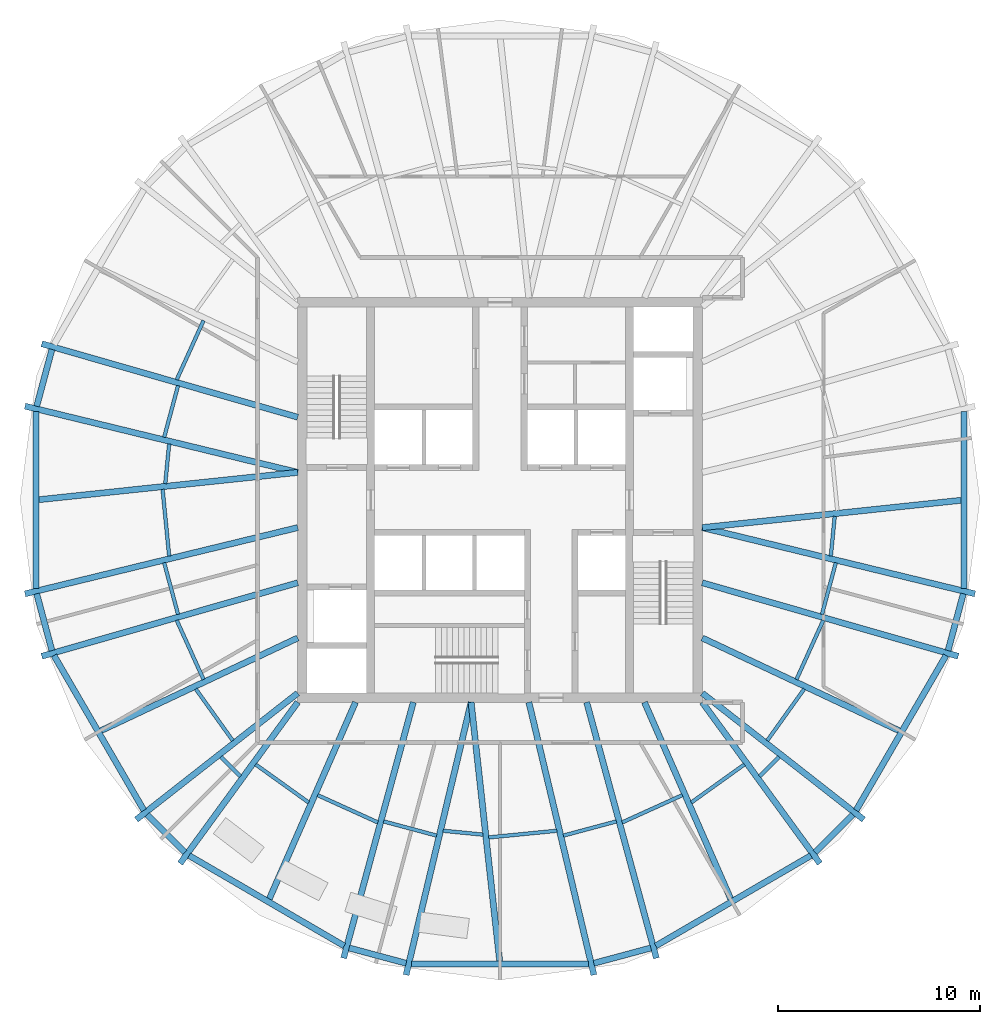
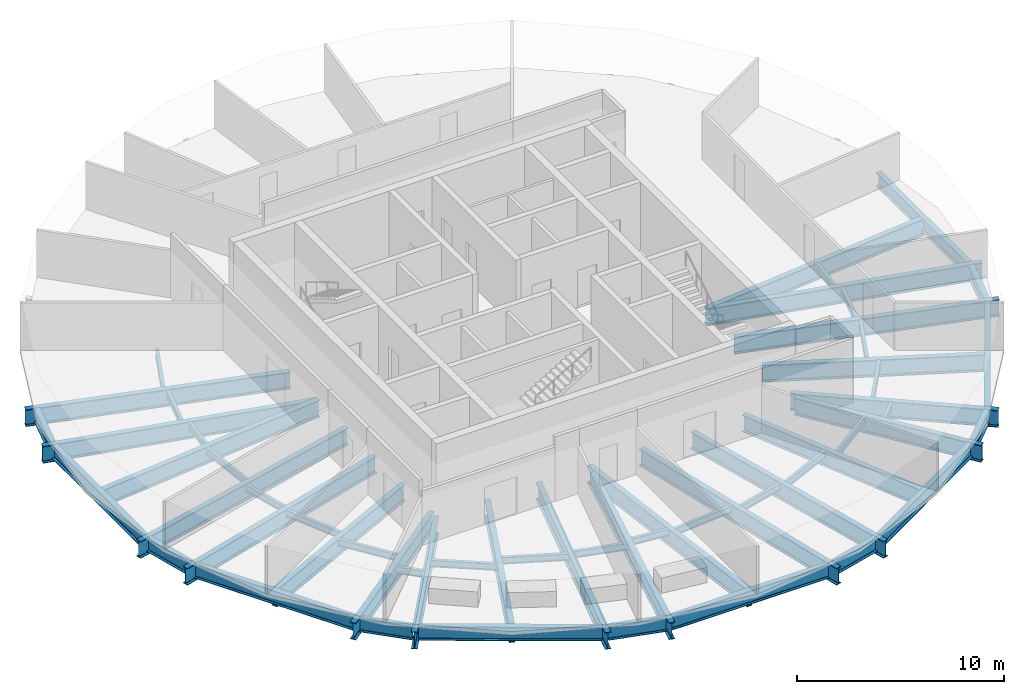
# One storey, part 1 of 7: 56 beams.
"""IFC4 building model written with IfcOpenShell, lengths in metres."""

from ifc_helpers import new_model, si_unit, direction, frame, origin, origin_2d, place, context, subcontext, project, spatial, i_section, extrude, material, material_profile, profile_set, type_object, element, save


model = new_model("IFC4")

# Units and contexts
model_context = context("Model", 3, precision=1e-05, world=origin(), true_north=direction((0.0, 1.0)))
body_context = subcontext(model_context, "Body", "Model", "MODEL_VIEW")
ifc_project = project(units=[si_unit("LENGTHUNIT", "METRE"), si_unit("AREAUNIT", "SQUARE_METRE"), si_unit("VOLUMEUNIT", "CUBIC_METRE"), si_unit("PLANEANGLEUNIT", "RADIAN"), si_unit("MASSUNIT", "GRAM", prefix="KILO")], contexts=[model_context])

# Site, building, storey
site_placement = place(None, origin())
site = spatial("IfcSite", under=ifc_project, at=site_placement, CompositionType="ELEMENT")
building_placement = place(site_placement, origin())
building = spatial("IfcBuilding", under=site, at=building_placement, Name="Golbaran Civic Tower", CompositionType="ELEMENT")
storey_placement = place(building_placement, frame((0.0, 0.0, 195.0)))
storey = spatial("IfcBuildingStorey", under=building, at=storey_placement, Name="L47", CompositionType="ELEMENT", Elevation=195.0)

# Beams
ifc_material = material(Name="Steel S355", Category="steel")
ifc_material_profile_1 = material_profile(ifc_material, i_section(OverallWidth=0.300048828125, OverallDepth=0.800048828125, WebThickness=0.017578125, FlangeThickness=0.032958984375, FilletRadius=0.030029296875, at=origin_2d()), Name="HEB 800")
ifc_profile_set_1 = profile_set([ifc_material_profile_1], Name="Steel S355")
beam_type_1 = type_object("IfcBeamType", Name="EDGE BEAM HEB 800", PredefinedType="BEAM", material=ifc_profile_set_1)
beam_1_placement = place(storey_placement, frame((-22.152099609375, 7.445068359375, -0.60009765625), z_axis=(-0.259004480723, -0.965876119886, 0.0), x_axis=(0.965876119886, -0.259004480723, 0.0)))
element("IfcBeam", 1, at=beam_1_placement, inside=storey, type_object=beam_type_1, Name="Edge beam 161.24 L47", PredefinedType="BEAM", context=body_context, shape_type="SweptSolid", body=[
    extrude(i_section(OverallWidth=0.300048828125, OverallDepth=0.800048828125, WebThickness=0.017578125, FlangeThickness=0.032958984375, FilletRadius=0.030029296875, at=origin_2d()), origin(), (0.0, 0.0, 1.0), 2.909912109375),
])
beam_2_placement = place(storey_placement, frame((-22.939453125, 4.375244140625, -0.60009765625), z_axis=(0.0, -1.0, 0.0), x_axis=(1.0, 0.0, 0.0)))
element("IfcBeam", 2, at=beam_2_placement, inside=storey, type_object=beam_type_1, Name="Edge beam 168.76 L47", PredefinedType="BEAM", context=body_context, shape_type="SweptSolid", body=[
    extrude(i_section(OverallWidth=0.300048828125, OverallDepth=0.800048828125, WebThickness=0.017578125, FlangeThickness=0.032958984375, FilletRadius=0.030029296875, at=origin_2d()), origin(), (0.0, 0.0, 1.0), 8.75048828125),
])
beam_3_placement = place(storey_placement, frame((-22.90576171875, -4.634521484375, -0.60009765625), z_axis=(0.259004480723, -0.965876119886, 0.0), x_axis=(0.965876119886, 0.259004480723, 0.0)))
element("IfcBeam", 3, at=beam_3_placement, inside=storey, type_object=beam_type_1, Name="Edge beam 191.24 L47", PredefinedType="BEAM", context=body_context, shape_type="SweptSolid", body=[
    extrude(i_section(OverallWidth=0.300048828125, OverallDepth=0.800048828125, WebThickness=0.017578125, FlangeThickness=0.032958984375, FilletRadius=0.030029296875, at=origin_2d()), origin(), (0.0, 0.0, 1.0), 2.909912109375),
])
beam_4_placement = place(storey_placement, frame((-22.05126953125, -7.686767578125, -0.60009765625), z_axis=(0.502117553845, -0.864799376804, 0.0), x_axis=(0.864799376804, 0.502117553845, 0.0)))
element("IfcBeam", 4, at=beam_4_placement, inside=storey, type_object=beam_type_1, Name="Edge beam 198.76 L47", PredefinedType="BEAM", context=body_context, shape_type="SweptSolid", body=[
    extrude(i_section(OverallWidth=0.300048828125, OverallDepth=0.800048828125, WebThickness=0.017578125, FlangeThickness=0.032958984375, FilletRadius=0.030029296875, at=origin_2d()), origin(), (0.0, 0.0, 1.0), 8.8525390625),
])
beam_5_placement = place(storey_placement, frame((-17.44775390625, -15.548583984375, -0.60009765625), z_axis=(0.706553200975, -0.707659928349, 0.0), x_axis=(0.707659928349, 0.706553200975, 0.0)))
element("IfcBeam", 5, at=beam_5_placement, inside=storey, type_object=beam_type_1, Name="Edge beam 221.24 L47", PredefinedType="BEAM", context=body_context, shape_type="SweptSolid", body=[
    extrude(i_section(OverallWidth=0.300048828125, OverallDepth=0.800048828125, WebThickness=0.017578125, FlangeThickness=0.032958984375, FilletRadius=0.030029296875, at=origin_2d()), origin(), (0.0, 0.0, 1.0), 2.647216796875),
])
beam_6_placement = place(storey_placement, frame((-15.371337890625, -17.580810546875, -0.60009765625), z_axis=(0.864221561132, -0.503111412387, 0.0), x_axis=(0.503111412387, 0.864221561132, 0.0)))
element("IfcBeam", 6, at=beam_6_placement, inside=storey, type_object=beam_type_1, Name="Edge beam 228.76 L47", PredefinedType="BEAM", context=body_context, shape_type="SweptSolid", body=[
    extrude(i_section(OverallWidth=0.300048828125, OverallDepth=0.800048828125, WebThickness=0.017578125, FlangeThickness=0.032958984375, FilletRadius=0.030029296875, at=origin_2d()), origin(), (0.0, 0.0, 1.0), 8.875),
])
beam_7_placement = place(storey_placement, frame((-7.45947265625, -22.147216796875, -0.60009765625), z_axis=(0.965760107666, -0.259436725313, 0.0), x_axis=(0.259436725313, 0.965760107666, 0.0)))
element("IfcBeam", 7, at=beam_7_placement, inside=storey, type_object=beam_type_1, Name="Edge beam 251.24 L47", PredefinedType="BEAM", context=body_context, shape_type="SweptSolid", body=[
    extrude(i_section(OverallWidth=0.300048828125, OverallDepth=0.800048828125, WebThickness=0.017578125, FlangeThickness=0.032958984375, FilletRadius=0.030029296875, at=origin_2d()), origin(), (0.0, 0.0, 1.0), 2.920166015625),
])
beam_8_placement = place(storey_placement, frame((-4.380126953125, -22.9384765625, -0.60009765625), z_axis=(1.0, 0.0, 0.0), x_axis=(0.0, 1.0, 0.0)))
element("IfcBeam", 8, at=beam_8_placement, inside=storey, type_object=beam_type_1, Name="Edge beam 258.76 L47", PredefinedType="BEAM", context=body_context, shape_type="SweptSolid", body=[
    extrude(i_section(OverallWidth=0.300048828125, OverallDepth=0.800048828125, WebThickness=0.017578125, FlangeThickness=0.032958984375, FilletRadius=0.030029296875, at=origin_2d()), origin(), (0.0, 0.0, 1.0), 8.76025390625),
])
beam_9_placement = place(storey_placement, frame((4.639404296875, -22.90478515625, -0.60009765625), z_axis=(0.965760107666, 0.259436725313, 0.0), x_axis=(-0.259436725313, 0.965760107666, 0.0)))
element("IfcBeam", 9, at=beam_9_placement, inside=storey, type_object=beam_type_1, Name="Edge beam 281.24 L47", PredefinedType="BEAM", context=body_context, shape_type="SweptSolid", body=[
    extrude(i_section(OverallWidth=0.300048828125, OverallDepth=0.800048828125, WebThickness=0.017578125, FlangeThickness=0.032958984375, FilletRadius=0.030029296875, at=origin_2d()), origin(), (0.0, 0.0, 1.0), 2.920166015625),
])
beam_10_placement = place(storey_placement, frame((7.701416015625, -22.0458984375, -0.60009765625), z_axis=(0.864221561132, 0.503111412387, 0.0), x_axis=(-0.503111412387, 0.864221561132, 0.0)))
element("IfcBeam", 10, at=beam_10_placement, inside=storey, type_object=beam_type_1, Name="Edge beam 288.76 L47", PredefinedType="BEAM", context=body_context, shape_type="SweptSolid", body=[
    extrude(i_section(OverallWidth=0.300048828125, OverallDepth=0.800048828125, WebThickness=0.017578125, FlangeThickness=0.032958984375, FilletRadius=0.030029296875, at=origin_2d()), origin(), (0.0, 0.0, 1.0), 8.875),
])
beam_11_placement = place(storey_placement, frame((15.577392578125, -17.421875, -0.60009765625), z_axis=(0.706553200975, 0.707659928349, 0.0), x_axis=(-0.707659928349, 0.706553200975, 0.0)))
element("IfcBeam", 11, at=beam_11_placement, inside=storey, type_object=beam_type_1, Name="Edge beam 311.24 L47", PredefinedType="BEAM", context=body_context, shape_type="SweptSolid", body=[
    extrude(i_section(OverallWidth=0.300048828125, OverallDepth=0.800048828125, WebThickness=0.017578125, FlangeThickness=0.032958984375, FilletRadius=0.030029296875, at=origin_2d()), origin(), (0.0, 0.0, 1.0), 2.647216796875),
])
beam_12_placement = place(storey_placement, frame((17.606201171875, -15.342529296875, -0.60009765625), z_axis=(0.502117553845, 0.864799376804, 0.0), x_axis=(-0.864799376804, 0.502117553845, 0.0)))
element("IfcBeam", 12, at=beam_12_placement, inside=storey, type_object=beam_type_1, Name="Edge beam 318.76 L47", PredefinedType="BEAM", context=body_context, shape_type="SweptSolid", body=[
    extrude(i_section(OverallWidth=0.300048828125, OverallDepth=0.800048828125, WebThickness=0.017578125, FlangeThickness=0.032958984375, FilletRadius=0.030029296875, at=origin_2d()), origin(), (0.0, 0.0, 1.0), 8.8525390625),
])
beam_13_placement = place(storey_placement, frame((22.152099609375, -7.445068359375, -0.60009765625), z_axis=(0.259004480723, 0.965876119886, 0.0), x_axis=(-0.965876119886, 0.259004480723, 0.0)))
element("IfcBeam", 13, at=beam_13_placement, inside=storey, type_object=beam_type_1, Name="Edge beam 341.24 L47", PredefinedType="BEAM", context=body_context, shape_type="SweptSolid", body=[
    extrude(i_section(OverallWidth=0.300048828125, OverallDepth=0.800048828125, WebThickness=0.017578125, FlangeThickness=0.032958984375, FilletRadius=0.030029296875, at=origin_2d()), origin(), (0.0, 0.0, 1.0), 2.909912109375),
])
beam_14_placement = place(storey_placement, frame((22.939453125, -4.375244140625, -0.60009765625), z_axis=(0.0, 1.0, 0.0), x_axis=(-1.0, 0.0, 0.0)))
element("IfcBeam", 14, at=beam_14_placement, inside=storey, type_object=beam_type_1, Name="Edge beam 348.76 L47", PredefinedType="BEAM", context=body_context, shape_type="SweptSolid", body=[
    extrude(i_section(OverallWidth=0.300048828125, OverallDepth=0.800048828125, WebThickness=0.017578125, FlangeThickness=0.032958984375, FilletRadius=0.030029296875, at=origin_2d()), origin(), (0.0, 0.0, 1.0), 8.75048828125),
])
ifc_material_profile_2 = material_profile(ifc_material, i_section(OverallWidth=0.179931640625, OverallDepth=0.39990234375, WebThickness=0.008544921875, FlangeThickness=0.013427734375, FilletRadius=0.02099609375, at=origin_2d()), Name="IPE 400")
ifc_profile_set_2 = profile_set([ifc_material_profile_2], Name="Steel S355")
beam_type_2 = type_object("IfcBeamType", Name="FLOOR INFILL BEAM IPE 400", PredefinedType="BEAM", material=ifc_profile_set_2)
beam_15_placement = place(storey_placement, frame((-14.657470703125, 8.87158203125, -0.39990234375), z_axis=(-0.412783571704, -0.910829140361, 0.0), x_axis=(0.910829140361, -0.412783571704, 0.0)))
element("IfcBeam", 15, at=beam_15_placement, inside=storey, type_object=beam_type_2, Name="Infill beam 155.62 L47", PredefinedType="BEAM", context=body_context, shape_type="SweptSolid", body=[
    extrude(i_section(OverallWidth=0.179931640625, OverallDepth=0.39990234375, WebThickness=0.008544921875, FlangeThickness=0.013427734375, FilletRadius=0.02099609375, at=origin_2d()), origin(), (0.0, 0.0, 1.0), 3.212646484375),
])
beam_16_placement = place(storey_placement, frame((-15.917236328125, 5.65576171875, -0.39990234375), z_axis=(-0.258800719407, -0.965930736458, 0.0), x_axis=(0.965930736458, -0.258800719407, 0.0)))
element("IfcBeam", 16, at=beam_16_placement, inside=storey, type_object=beam_type_2, Name="Infill beam 165.00 L47", PredefinedType="BEAM", context=body_context, shape_type="SweptSolid", body=[
    extrude(i_section(OverallWidth=0.179931640625, OverallDepth=0.39990234375, WebThickness=0.008544921875, FlangeThickness=0.013427734375, FilletRadius=0.02099609375, at=origin_2d()), origin(), (0.0, 0.0, 1.0), 2.643310546875),
])
beam_17_placement = place(storey_placement, frame((-16.35595703125, 2.775146484375, -0.39990234375), z_axis=(-0.097892273483, -0.995197017074, 0.0), x_axis=(0.995197017074, -0.097892273483, 0.0)))
element("IfcBeam", 17, at=beam_17_placement, inside=storey, type_object=beam_type_2, Name="Infill beam 174.38 L47", PredefinedType="BEAM", context=body_context, shape_type="SweptSolid", body=[
    extrude(i_section(OverallWidth=0.179931640625, OverallDepth=0.39990234375, WebThickness=0.008544921875, FlangeThickness=0.013427734375, FilletRadius=0.02099609375, at=origin_2d()), origin(), (0.0, 0.0, 1.0), 1.980224609375),
])
beam_18_placement = place(storey_placement, frame((-16.68115234375, 0.529052734375, -0.39990234375), z_axis=(0.09794557713, -0.995191772434, 0.0), x_axis=(0.995191772434, 0.09794557713, 0.0)))
element("IfcBeam", 18, at=beam_18_placement, inside=storey, type_object=beam_type_2, Name="Infill beam 185.62 L47", PredefinedType="BEAM", context=body_context, shape_type="SweptSolid", body=[
    extrude(i_section(OverallWidth=0.179931640625, OverallDepth=0.39990234375, WebThickness=0.008544921875, FlangeThickness=0.013427734375, FilletRadius=0.02099609375, at=origin_2d()), origin(), (0.0, 0.0, 1.0), 3.320068359375),
])
beam_19_placement = place(storey_placement, frame((-16.601318359375, -3.1025390625, -0.39990234375), z_axis=(0.258800719407, -0.965930736458, 0.0), x_axis=(0.965930736458, 0.258800719407, 0.0)))
element("IfcBeam", 19, at=beam_19_placement, inside=storey, type_object=beam_type_2, Name="Infill beam 195.00 L47", PredefinedType="BEAM", context=body_context, shape_type="SweptSolid", body=[
    extrude(i_section(OverallWidth=0.179931640625, OverallDepth=0.39990234375, WebThickness=0.008544921875, FlangeThickness=0.013427734375, FilletRadius=0.02099609375, at=origin_2d()), origin(), (0.0, 0.0, 1.0), 2.643310546875),
])
beam_20_placement = place(storey_placement, frame((-15.983642578125, -5.9453125, -0.39990234375), z_axis=(0.412783571704, -0.910829140361, 0.0), x_axis=(0.910829140361, 0.412783571704, 0.0)))
element("IfcBeam", 20, at=beam_20_placement, inside=storey, type_object=beam_type_2, Name="Infill beam 204.38 L47", PredefinedType="BEAM", context=body_context, shape_type="SweptSolid", body=[
    extrude(i_section(OverallWidth=0.179931640625, OverallDepth=0.39990234375, WebThickness=0.008544921875, FlangeThickness=0.013427734375, FilletRadius=0.02099609375, at=origin_2d()), origin(), (0.0, 0.0, 1.0), 3.212646484375),
])
beam_21_placement = place(storey_placement, frame((-15.04248046875, -9.34033203125, -0.39990234375), z_axis=(0.582331011216, -0.812951778014, 0.0), x_axis=(0.812951778014, 0.582331011216, 0.0)))
element("IfcBeam", 21, at=beam_21_placement, inside=storey, type_object=beam_type_2, Name="Infill beam 215.62 L47", PredefinedType="BEAM", context=body_context, shape_type="SweptSolid", body=[
    extrude(i_section(OverallWidth=0.179931640625, OverallDepth=0.39990234375, WebThickness=0.008544921875, FlangeThickness=0.013427734375, FilletRadius=0.02099609375, at=origin_2d()), origin(), (0.0, 0.0, 1.0), 3.147216796875),
])
beam_22_placement = place(storey_placement, frame((-13.80419921875, -12.69482421875, -0.39990234375), z_axis=(0.707106781187, -0.707106781187, 0.0), x_axis=(0.707106781187, 0.707106781187, 0.0)))
element("IfcBeam", 22, at=beam_22_placement, inside=storey, type_object=beam_type_2, Name="Infill beam 225.00 L47", PredefinedType="BEAM", context=body_context, shape_type="SweptSolid", body=[
    extrude(i_section(OverallWidth=0.179931640625, OverallDepth=0.39990234375, WebThickness=0.008544921875, FlangeThickness=0.013427734375, FilletRadius=0.02099609375, at=origin_2d()), origin(), (0.0, 0.0, 1.0), 1.37060546875),
])
beam_23_placement = place(storey_placement, frame((-12.0830078125, -13.07470703125, -0.39990234375), z_axis=(0.812889894716, -0.582417392485, 0.0), x_axis=(0.582417392485, 0.812889894716, 0.0)))
element("IfcBeam", 23, at=beam_23_placement, inside=storey, type_object=beam_type_2, Name="Infill beam 234.38 L47", PredefinedType="BEAM", context=body_context, shape_type="SweptSolid", body=[
    extrude(i_section(OverallWidth=0.179931640625, OverallDepth=0.39990234375, WebThickness=0.008544921875, FlangeThickness=0.013427734375, FilletRadius=0.02099609375, at=origin_2d()), origin(), (0.0, 0.0, 1.0), 3.229736328125),
])
beam_24_placement = place(storey_placement, frame((-9.014404296875, -14.5927734375, -0.39990234375), z_axis=(0.910788269433, -0.412873743733, 0.0), x_axis=(0.412873743733, 0.910788269433, 0.0)))
element("IfcBeam", 24, at=beam_24_placement, inside=storey, type_object=beam_type_2, Name="Infill beam 245.62 L47", PredefinedType="BEAM", context=body_context, shape_type="SweptSolid", body=[
    extrude(i_section(OverallWidth=0.179931640625, OverallDepth=0.39990234375, WebThickness=0.008544921875, FlangeThickness=0.013427734375, FilletRadius=0.02099609375, at=origin_2d()), origin(), (0.0, 0.0, 1.0), 3.26708984375),
])
beam_25_placement = place(storey_placement, frame((-5.75537109375, -15.890380859375, -0.39990234375), z_axis=(0.965941626531, -0.258760070595, 0.0), x_axis=(0.258760070595, 0.965941626531, 0.0)))
element("IfcBeam", 25, at=beam_25_placement, inside=storey, type_object=beam_type_2, Name="Infill beam 255.00 L47", PredefinedType="BEAM", context=body_context, shape_type="SweptSolid", body=[
    extrude(i_section(OverallWidth=0.179931640625, OverallDepth=0.39990234375, WebThickness=0.008544921875, FlangeThickness=0.013427734375, FilletRadius=0.02099609375, at=origin_2d()), origin(), (0.0, 0.0, 1.0), 2.713623046875),
])
beam_26_placement = place(storey_placement, frame((-2.8095703125, -16.352294921875, -0.39990234375), z_axis=(0.995207632766, -0.0977842916, 0.0), x_axis=(0.0977842916, 0.995207632766, 0.0)))
element("IfcBeam", 26, at=beam_26_placement, inside=storey, type_object=beam_type_2, Name="Infill beam 264.38 L47", PredefinedType="BEAM", context=body_context, shape_type="SweptSolid", body=[
    extrude(i_section(OverallWidth=0.179931640625, OverallDepth=0.39990234375, WebThickness=0.008544921875, FlangeThickness=0.013427734375, FilletRadius=0.02099609375, at=origin_2d()), origin(), (0.0, 0.0, 1.0), 1.982421875),
])
beam_27_placement = place(storey_placement, frame((-0.559814453125, -16.68359375, -0.39990234375), z_axis=(0.995200750001, 0.097854316191, 0.0), x_axis=(-0.097854316191, 0.995200750001, 0.0)))
element("IfcBeam", 27, at=beam_27_placement, inside=storey, type_object=beam_type_2, Name="Infill beam 275.62 L47", PredefinedType="BEAM", context=body_context, shape_type="SweptSolid", body=[
    extrude(i_section(OverallWidth=0.179931640625, OverallDepth=0.39990234375, WebThickness=0.008544921875, FlangeThickness=0.013427734375, FilletRadius=0.02099609375, at=origin_2d()), origin(), (0.0, 0.0, 1.0), 3.3857421875),
])
beam_28_placement = place(storey_placement, frame((3.13427734375, -16.592529296875, -0.39990234375), z_axis=(0.965941626531, 0.258760070595, 0.0), x_axis=(-0.258760070595, 0.965941626531, 0.0)))
element("IfcBeam", 28, at=beam_28_placement, inside=storey, type_object=beam_type_2, Name="Infill beam 285.00 L47", PredefinedType="BEAM", context=body_context, shape_type="SweptSolid", body=[
    extrude(i_section(OverallWidth=0.179931640625, OverallDepth=0.39990234375, WebThickness=0.008544921875, FlangeThickness=0.013427734375, FilletRadius=0.02099609375, at=origin_2d()), origin(), (0.0, 0.0, 1.0), 2.713623046875),
])
beam_29_placement = place(storey_placement, frame((6.038818359375, -15.941650390625, -0.39990234375), z_axis=(0.910788269433, 0.412873743733, 0.0), x_axis=(-0.412873743733, 0.910788269433, 0.0)))
element("IfcBeam", 29, at=beam_29_placement, inside=storey, type_object=beam_type_2, Name="Infill beam 294.38 L47", PredefinedType="BEAM", context=body_context, shape_type="SweptSolid", body=[
    extrude(i_section(OverallWidth=0.179931640625, OverallDepth=0.39990234375, WebThickness=0.008544921875, FlangeThickness=0.013427734375, FilletRadius=0.02099609375, at=origin_2d()), origin(), (0.0, 0.0, 1.0), 3.26708984375),
])
beam_30_placement = place(storey_placement, frame((9.45751953125, -14.955810546875, -0.39990234375), z_axis=(0.812889894716, 0.582417392485, 0.0), x_axis=(-0.582417392485, 0.812889894716, 0.0)))
element("IfcBeam", 30, at=beam_30_placement, inside=storey, type_object=beam_type_2, Name="Infill beam 305.62 L47", PredefinedType="BEAM", context=body_context, shape_type="SweptSolid", body=[
    extrude(i_section(OverallWidth=0.179931640625, OverallDepth=0.39990234375, WebThickness=0.008544921875, FlangeThickness=0.013427734375, FilletRadius=0.02099609375, at=origin_2d()), origin(), (0.0, 0.0, 1.0), 3.229736328125),
])
beam_31_placement = place(storey_placement, frame((12.8349609375, -13.6640625, -0.39990234375), z_axis=(0.707106781187, 0.707106781187, 0.0), x_axis=(-0.707106781187, 0.707106781187, 0.0)))
element("IfcBeam", 31, at=beam_31_placement, inside=storey, type_object=beam_type_2, Name="Infill beam 315.00 L47", PredefinedType="BEAM", context=body_context, shape_type="SweptSolid", body=[
    extrude(i_section(OverallWidth=0.179931640625, OverallDepth=0.39990234375, WebThickness=0.008544921875, FlangeThickness=0.013427734375, FilletRadius=0.02099609375, at=origin_2d()), origin(), (0.0, 0.0, 1.0), 1.37060546875),
])
beam_32_placement = place(storey_placement, frame((13.209716796875, -11.89892578125, -0.39990234375), z_axis=(0.582331011216, 0.812951778014, 0.0), x_axis=(-0.812951778014, 0.582331011216, 0.0)))
element("IfcBeam", 32, at=beam_32_placement, inside=storey, type_object=beam_type_2, Name="Infill beam 324.38 L47", PredefinedType="BEAM", context=body_context, shape_type="SweptSolid", body=[
    extrude(i_section(OverallWidth=0.179931640625, OverallDepth=0.39990234375, WebThickness=0.008544921875, FlangeThickness=0.013427734375, FilletRadius=0.02099609375, at=origin_2d()), origin(), (0.0, 0.0, 1.0), 3.147216796875),
])
beam_33_placement = place(storey_placement, frame((14.657470703125, -8.87158203125, -0.39990234375), z_axis=(0.412783571704, 0.910829140361, 0.0), x_axis=(-0.910829140361, 0.412783571704, 0.0)))
element("IfcBeam", 33, at=beam_33_placement, inside=storey, type_object=beam_type_2, Name="Infill beam 335.62 L47", PredefinedType="BEAM", context=body_context, shape_type="SweptSolid", body=[
    extrude(i_section(OverallWidth=0.179931640625, OverallDepth=0.39990234375, WebThickness=0.008544921875, FlangeThickness=0.013427734375, FilletRadius=0.02099609375, at=origin_2d()), origin(), (0.0, 0.0, 1.0), 3.212646484375),
])
beam_34_placement = place(storey_placement, frame((15.917236328125, -5.65576171875, -0.39990234375), z_axis=(0.258800719407, 0.965930736458, 0.0), x_axis=(-0.965930736458, 0.258800719407, 0.0)))
element("IfcBeam", 34, at=beam_34_placement, inside=storey, type_object=beam_type_2, Name="Infill beam 345.00 L47", PredefinedType="BEAM", context=body_context, shape_type="SweptSolid", body=[
    extrude(i_section(OverallWidth=0.179931640625, OverallDepth=0.39990234375, WebThickness=0.008544921875, FlangeThickness=0.013427734375, FilletRadius=0.02099609375, at=origin_2d()), origin(), (0.0, 0.0, 1.0), 2.643310546875),
])
beam_35_placement = place(storey_placement, frame((16.35595703125, -2.775146484375, -0.39990234375), z_axis=(0.097892273483, 0.995197017074, 0.0), x_axis=(-0.995197017074, 0.097892273483, 0.0)))
element("IfcBeam", 35, at=beam_35_placement, inside=storey, type_object=beam_type_2, Name="Infill beam 354.38 L47", PredefinedType="BEAM", context=body_context, shape_type="SweptSolid", body=[
    extrude(i_section(OverallWidth=0.179931640625, OverallDepth=0.39990234375, WebThickness=0.008544921875, FlangeThickness=0.013427734375, FilletRadius=0.02099609375, at=origin_2d()), origin(), (0.0, 0.0, 1.0), 1.980224609375),
])
ifc_material_profile_3 = material_profile(ifc_material, i_section(OverallWidth=0.300048828125, OverallDepth=1.0, WebThickness=0.01904296875, FlangeThickness=0.035888671875, FilletRadius=0.030029296875, at=origin_2d()), Name="HEB 1000")
ifc_profile_set_3 = profile_set([ifc_material_profile_3], Name="Steel S355")
beam_type_3 = type_object("IfcBeamType", Name="RADIAL FLOOR BEAM HEB 1000", PredefinedType="BEAM", material=ifc_profile_set_3)
beam_36_placement = place(storey_placement, frame((-10.0, 4.0927734375, -0.7099609375), z_axis=(-0.961198584887, 0.275857355187, 0.0), x_axis=(-0.275857355187, -0.961198584887, 0.0)))
element("IfcBeam", 36, at=beam_36_placement, inside=storey, type_object=beam_type_3, Name="Radial beam 161.24 L47", PredefinedType="BEAM", context=body_context, shape_type="SweptSolid", body=[
    extrude(i_section(OverallWidth=0.300048828125, OverallDepth=1.0, WebThickness=0.01904296875, FlangeThickness=0.035888671875, FilletRadius=0.030029296875, at=origin_2d()), origin(), (0.0, 0.0, 1.0), 13.16552734375),
])
for number, where, z_axis, x_axis, name in (
    (37, (-10.0, 1.3642578125, -0.7099609375), (-0.971711603322, 0.236170616229, 0.0), (-0.236170616229, -0.971711603322, 0.0), "Radial beam 168.76 L47"),
    (38, (-10.0, -1.3642578125, -0.7099609375), (-0.971711603322, -0.236170616229, 0.0), (0.236170616229, -0.971711603322, 0.0), "Radial beam 191.24 L47"),
):
    element("IfcBeam", number, at=place(storey_placement, frame(where, z_axis=z_axis, x_axis=x_axis)), inside=storey, type_object=beam_type_3, Name=name, PredefinedType="BEAM", context=body_context, shape_type="SweptSolid", body=[
        extrude(i_section(OverallWidth=0.300048828125, OverallDepth=1.0, WebThickness=0.01904296875, FlangeThickness=0.035888671875, FilletRadius=0.030029296875, at=origin_2d()), origin(), (0.0, 0.0, 1.0), 13.8740234375),
    ])
beam_37_placement = place(storey_placement, frame((-10.0, -4.0927734375, -0.7099609375), z_axis=(-0.961198584887, -0.275857355187, 0.0), x_axis=(0.275857355187, -0.961198584887, 0.0)))
element("IfcBeam", 39, at=beam_37_placement, inside=storey, type_object=beam_type_3, Name="Radial beam 198.76 L47", PredefinedType="BEAM", context=body_context, shape_type="SweptSolid", body=[
    extrude(i_section(OverallWidth=0.300048828125, OverallDepth=1.0, WebThickness=0.01904296875, FlangeThickness=0.035888671875, FilletRadius=0.030029296875, at=origin_2d()), origin(), (0.0, 0.0, 1.0), 13.16552734375),
])
beam_38_placement = place(storey_placement, frame((-10.0, -9.550048828125, -0.7099609375), z_axis=(-0.787255916941, -0.616626403296, 0.0), x_axis=(0.616626403296, -0.787255916941, 0.0)))
element("IfcBeam", 40, at=beam_38_placement, inside=storey, type_object=beam_type_3, Name="Radial beam 221.24 L47", PredefinedType="BEAM", context=body_context, shape_type="SweptSolid", body=[
    extrude(i_section(OverallWidth=0.300048828125, OverallDepth=1.0, WebThickness=0.01904296875, FlangeThickness=0.035888671875, FilletRadius=0.030029296875, at=origin_2d()), origin(), (0.0, 0.0, 1.0), 10.137451171875),
])
beam_39_placement = place(storey_placement, frame((-10.0, -10.0, -0.7099609375), z_axis=(-0.589495256768, -0.807771837989, 0.0), x_axis=(0.807771837989, -0.589495256768, 0.0)))
element("IfcBeam", 41, at=beam_39_placement, inside=storey, type_object=beam_type_3, Name="Radial beam 228.76 L47", PredefinedType="BEAM", context=body_context, shape_type="SweptSolid", body=[
    extrude(i_section(OverallWidth=0.300048828125, OverallDepth=1.0, WebThickness=0.01904296875, FlangeThickness=0.035888671875, FilletRadius=0.030029296875, at=origin_2d()), origin(), (0.0, 0.0, 1.0), 9.864990234375),
])
beam_40_placement = place(storey_placement, frame((-4.28564453125, -10.0, -0.7099609375), z_axis=(-0.262791291538, -0.964852702277, 0.0), x_axis=(0.964852702277, -0.262791291538, 0.0)))
element("IfcBeam", 42, at=beam_40_placement, inside=storey, type_object=beam_type_3, Name="Radial beam 251.24 L47", PredefinedType="BEAM", context=body_context, shape_type="SweptSolid", body=[
    extrude(i_section(OverallWidth=0.300048828125, OverallDepth=1.0, WebThickness=0.01904296875, FlangeThickness=0.035888671875, FilletRadius=0.030029296875, at=origin_2d()), origin(), (0.0, 0.0, 1.0), 13.11328125),
])
for number, where, z_axis, x_axis, name in (
    (43, (-1.428466796875, -10.0, -0.7099609375), (-0.231947578862, -0.97272828717, 0.0), (0.97272828717, -0.231947578862, 0.0), "Radial beam 258.76 L47"),
    (44, (1.428466796875, -10.0, -0.7099609375), (0.231947578862, -0.97272828717, 0.0), (0.97272828717, 0.231947578862, 0.0), "Radial beam 281.24 L47"),
):
    element("IfcBeam", number, at=place(storey_placement, frame(where, z_axis=z_axis, x_axis=x_axis)), inside=storey, type_object=beam_type_3, Name=name, PredefinedType="BEAM", context=body_context, shape_type="SweptSolid", body=[
        extrude(i_section(OverallWidth=0.300048828125, OverallDepth=1.0, WebThickness=0.01904296875, FlangeThickness=0.035888671875, FilletRadius=0.030029296875, at=origin_2d()), origin(), (0.0, 0.0, 1.0), 13.859130859375),
    ])
beam_41_placement = place(storey_placement, frame((4.28564453125, -10.0, -0.7099609375), z_axis=(0.262791291538, -0.964852702277, 0.0), x_axis=(0.964852702277, 0.262791291538, 0.0)))
element("IfcBeam", 45, at=beam_41_placement, inside=storey, type_object=beam_type_3, Name="Radial beam 288.76 L47", PredefinedType="BEAM", context=body_context, shape_type="SweptSolid", body=[
    extrude(i_section(OverallWidth=0.300048828125, OverallDepth=1.0, WebThickness=0.01904296875, FlangeThickness=0.035888671875, FilletRadius=0.030029296875, at=origin_2d()), origin(), (0.0, 0.0, 1.0), 13.11328125),
])
beam_42_placement = place(storey_placement, frame((10.0, -10.0, -0.7099609375), z_axis=(0.589495256768, -0.807771837989, 0.0), x_axis=(0.807771837989, 0.589495256768, 0.0)))
element("IfcBeam", 46, at=beam_42_placement, inside=storey, type_object=beam_type_3, Name="Radial beam 311.24 L47", PredefinedType="BEAM", context=body_context, shape_type="SweptSolid", body=[
    extrude(i_section(OverallWidth=0.300048828125, OverallDepth=1.0, WebThickness=0.01904296875, FlangeThickness=0.035888671875, FilletRadius=0.030029296875, at=origin_2d()), origin(), (0.0, 0.0, 1.0), 9.864990234375),
])
beam_43_placement = place(storey_placement, frame((10.0, -9.550048828125, -0.7099609375), z_axis=(0.787255916941, -0.616626403296, 0.0), x_axis=(0.616626403296, 0.787255916941, 0.0)))
element("IfcBeam", 47, at=beam_43_placement, inside=storey, type_object=beam_type_3, Name="Radial beam 318.76 L47", PredefinedType="BEAM", context=body_context, shape_type="SweptSolid", body=[
    extrude(i_section(OverallWidth=0.300048828125, OverallDepth=1.0, WebThickness=0.01904296875, FlangeThickness=0.035888671875, FilletRadius=0.030029296875, at=origin_2d()), origin(), (0.0, 0.0, 1.0), 10.137451171875),
])
beam_44_placement = place(storey_placement, frame((10.0, -4.0927734375, -0.7099609375), z_axis=(0.961198584887, -0.275857355187, 0.0), x_axis=(0.275857355187, 0.961198584887, 0.0)))
element("IfcBeam", 48, at=beam_44_placement, inside=storey, type_object=beam_type_3, Name="Radial beam 341.24 L47", PredefinedType="BEAM", context=body_context, shape_type="SweptSolid", body=[
    extrude(i_section(OverallWidth=0.300048828125, OverallDepth=1.0, WebThickness=0.01904296875, FlangeThickness=0.035888671875, FilletRadius=0.030029296875, at=origin_2d()), origin(), (0.0, 0.0, 1.0), 13.16552734375),
])
beam_45_placement = place(storey_placement, frame((10.0, -1.3642578125, -0.7099609375), z_axis=(0.971711603322, -0.236170616229, 0.0), x_axis=(0.236170616229, 0.971711603322, 0.0)))
element("IfcBeam", 49, at=beam_45_placement, inside=storey, type_object=beam_type_3, Name="Radial beam 348.76 L47", PredefinedType="BEAM", context=body_context, shape_type="SweptSolid", body=[
    extrude(i_section(OverallWidth=0.300048828125, OverallDepth=1.0, WebThickness=0.01904296875, FlangeThickness=0.035888671875, FilletRadius=0.030029296875, at=origin_2d()), origin(), (0.0, 0.0, 1.0), 13.8740234375),
])
ifc_material_profile_4 = material_profile(ifc_material, i_section(OverallWidth=0.300048828125, OverallDepth=1.0, WebThickness=0.01904296875, FlangeThickness=0.035888671875, FilletRadius=0.030029296875, at=origin_2d()), Name="HEB 1000")
ifc_profile_set_4 = profile_set([ifc_material_profile_4], Name="Steel S355")
beam_type_4 = type_object("IfcBeamType", Name="SECONDARY FLOOR BEAM HEB 1000", PredefinedType="BEAM", material=ifc_profile_set_4)
for number, where, z_axis, x_axis, name in (
    (50, (10.0, -1.3642578125, -0.7099609375), (0.994487754379, 0.104852784367, 0.0), (-0.104852784367, 0.994487754379, 0.0), "Secondary beam 0.00 L47"),
    (51, (-10.0, 1.3642578125, -0.7099609375), (-0.994487754379, -0.104852784367, 0.0), (0.104852784367, -0.994487754379, 0.0), "Secondary beam 180.00 L47"),
):
    element("IfcBeam", number, at=place(storey_placement, frame(where, z_axis=z_axis, x_axis=x_axis)), inside=storey, type_object=beam_type_4, Name=name, PredefinedType="BEAM", context=body_context, shape_type="SweptSolid", body=[
        extrude(i_section(OverallWidth=0.300048828125, OverallDepth=1.0, WebThickness=0.01904296875, FlangeThickness=0.035888671875, FilletRadius=0.030029296875, at=origin_2d()), origin(), (0.0, 0.0, 1.0), 13.01123046875),
    ])
beam_46_placement = place(storey_placement, frame((-10.0, -6.821533203125, -0.7099609375), z_axis=(-0.904662755848, -0.42612826494, 0.0), x_axis=(0.42612826494, -0.904662755848, 0.0)))
element("IfcBeam", 52, at=beam_46_placement, inside=storey, type_object=beam_type_4, Name="Secondary beam 210.00 L47", PredefinedType="BEAM", context=body_context, shape_type="SweptSolid", body=[
    extrude(i_section(OverallWidth=0.300048828125, OverallDepth=1.0, WebThickness=0.01904296875, FlangeThickness=0.035888671875, FilletRadius=0.030029296875, at=origin_2d()), origin(), (0.0, 0.0, 1.0), 10.896484375),
])
beam_47_placement = place(storey_placement, frame((-7.142822265625, -10.0, -0.7099609375), z_axis=(-0.401514949571, -0.915852469162, 0.0), x_axis=(0.915852469162, -0.401514949571, 0.0)))
element("IfcBeam", 53, at=beam_47_placement, inside=storey, type_object=beam_type_4, Name="Secondary beam 240.00 L47", PredefinedType="BEAM", context=body_context, shape_type="SweptSolid", body=[
    extrude(i_section(OverallWidth=0.300048828125, OverallDepth=1.0, WebThickness=0.01904296875, FlangeThickness=0.035888671875, FilletRadius=0.030029296875, at=origin_2d()), origin(), (0.0, 0.0, 1.0), 10.76123046875),
])
beam_48_placement = place(storey_placement, frame((-1.428466796875, -10.0, -0.7099609375), z_axis=(0.109737778521, -0.993960572641, 0.0), x_axis=(0.993960572641, 0.109737778521, 0.0)))
element("IfcBeam", 54, at=beam_48_placement, inside=storey, type_object=beam_type_4, Name="Secondary beam 270.00 L47", PredefinedType="BEAM", context=body_context, shape_type="SweptSolid", body=[
    extrude(i_section(OverallWidth=0.300048828125, OverallDepth=1.0, WebThickness=0.01904296875, FlangeThickness=0.035888671875, FilletRadius=0.030029296875, at=origin_2d()), origin(), (0.0, 0.0, 1.0), 13.01708984375),
])
beam_49_placement = place(storey_placement, frame((7.142822265625, -10.0, -0.7099609375), z_axis=(0.401514949571, -0.915852469162, 0.0), x_axis=(0.915852469162, 0.401514949571, 0.0)))
element("IfcBeam", 55, at=beam_49_placement, inside=storey, type_object=beam_type_4, Name="Secondary beam 300.00 L47", PredefinedType="BEAM", context=body_context, shape_type="SweptSolid", body=[
    extrude(i_section(OverallWidth=0.300048828125, OverallDepth=1.0, WebThickness=0.01904296875, FlangeThickness=0.035888671875, FilletRadius=0.030029296875, at=origin_2d()), origin(), (0.0, 0.0, 1.0), 10.76123046875),
])
beam_50_placement = place(storey_placement, frame((10.0, -6.821533203125, -0.7099609375), z_axis=(0.904662755848, -0.42612826494, 0.0), x_axis=(0.42612826494, 0.904662755848, 0.0)))
element("IfcBeam", 56, at=beam_50_placement, inside=storey, type_object=beam_type_4, Name="Secondary beam 330.00 L47", PredefinedType="BEAM", context=body_context, shape_type="SweptSolid", body=[
    extrude(i_section(OverallWidth=0.300048828125, OverallDepth=1.0, WebThickness=0.01904296875, FlangeThickness=0.035888671875, FilletRadius=0.030029296875, at=origin_2d()), origin(), (0.0, 0.0, 1.0), 10.896484375),
])

save(model, "model.ifc")
